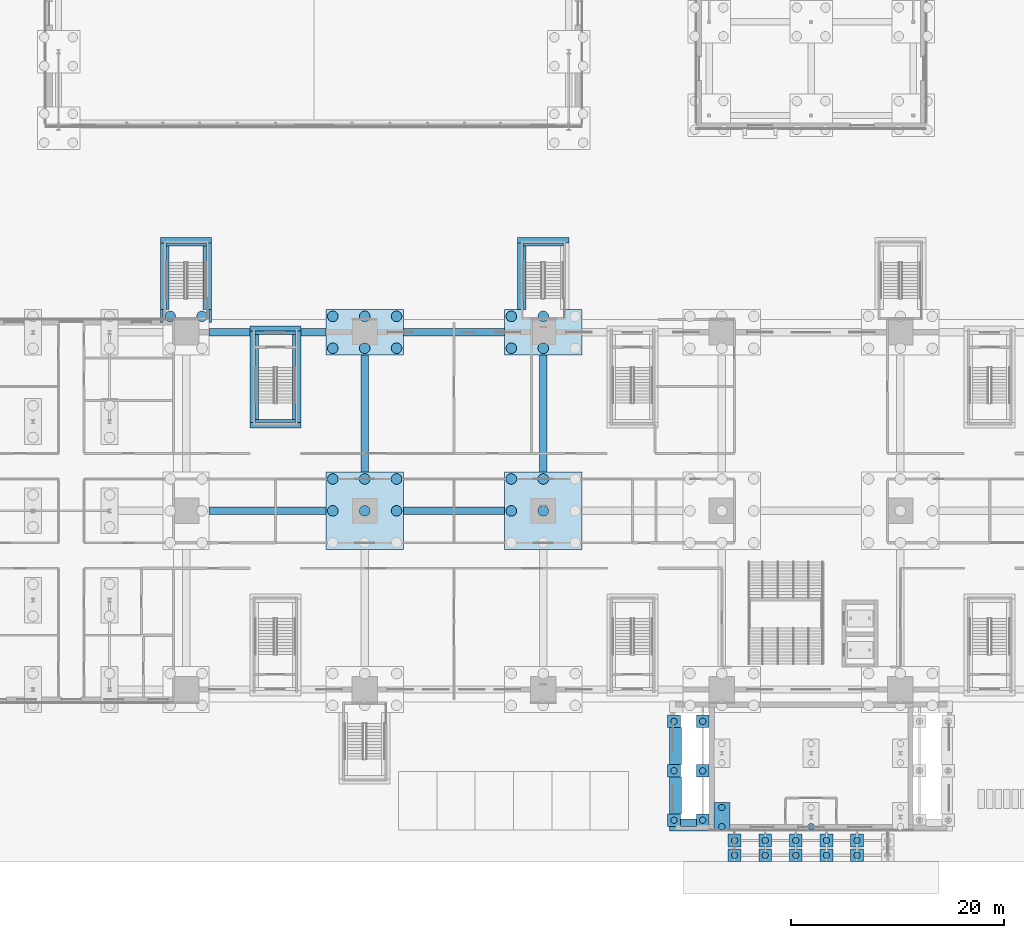
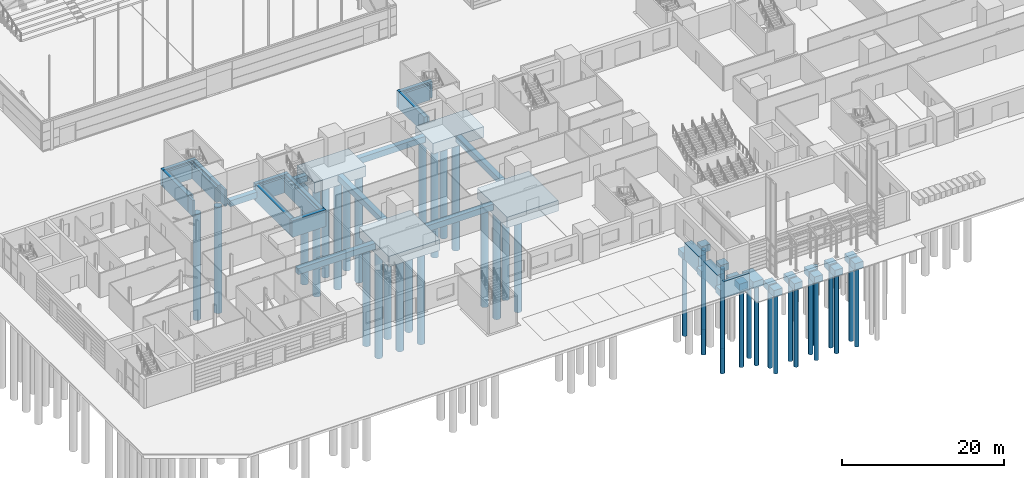
# One storey, part 2 of 139: 52 footings, 41 piles.
"""IFC4 building model written with IfcOpenShell, lengths in metres."""

from ifc_helpers import new_model, si_unit, direction, frame, origin, origin_2d, place, context, subcontext, project, spatial, polyline, rectangle, circle, outline, extrude, material, layer, layer_set, material_profile, profile_set, type_object, element, save


model = new_model("IFC4")

# Units and contexts
model_context = context("Model", 3, precision=1e-05, world=origin(), true_north=direction((0.0, 1.0)))
body_context = subcontext(model_context, "Body", "Model", "MODEL_VIEW")
ifc_project = project(units=[si_unit("LENGTHUNIT", "METRE"), si_unit("AREAUNIT", "SQUARE_METRE"), si_unit("VOLUMEUNIT", "CUBIC_METRE"), si_unit("PLANEANGLEUNIT", "RADIAN"), si_unit("MASSUNIT", "GRAM", prefix="KILO")], contexts=[model_context])

# Site, building, storey
site_placement = place(None, origin())
site = spatial("IfcSite", under=ifc_project, at=site_placement, CompositionType="ELEMENT")
building_placement = place(site_placement, origin())
building = spatial("IfcBuilding", under=site, at=building_placement, Name="Verrick Yard Athletic Hall", CompositionType="ELEMENT")
storey_placement = place(building_placement, origin())
storey = spatial("IfcBuildingStorey", under=building, at=storey_placement, Name="L00", CompositionType="ELEMENT", Elevation=0.0)

# Piles
ifc_material = material(Name="Concrete 35 MPa", Category="concrete")
pile_type_1 = type_object("IfcPileType", Name="STR Bored pile 1000", PredefinedType="BORED", material=ifc_material)
for number, where, z_axis, x_axis, name in (
    (1, (38.5, 54.300048828125, -2.39990234375), (0.0, 0.0, -1.0), (1.0, 0.0, 0.0), "STR-PC-P1C-PL3"),
    (2, (41.5, 54.300048828125, -2.39990234375), (0.0, 0.0, -1.0), (1.0, 0.0, 0.0), "STR-PC-P1C-PL4"),
    (3, (53.800048828125, 36.0, -2.39990234375), (0.0, 0.0, -1.0), (1.0, 0.0, 0.0), "STR-PC-P2B-PL4"),
    (4, (56.800048828125, 36.0, -2.39990234375), (0.0, 0.0, -1.0), (1.0, 0.0, 0.0), "STR-PC-P2B-PL5"),
    (5, (59.800048828125, 36.0, -2.39990234375), (0.0, 0.0, -1.0), (1.0, 0.0, 0.0), "STR-PC-P2B-PL6"),
    (6, (53.800048828125, 39.0, -2.39990234375), (0.0, 0.0, -1.0), (1.0, 0.0, 0.0), "STR-PC-P2B-PL7"),
    (7, (56.800048828125, 39.0, -2.39990234375), (0.0, 0.0, -1.0), (1.0, 0.0, 0.0), "STR-PC-P2B-PL8"),
    (8, (59.800048828125, 39.0, -2.39990234375), (0.0, 0.0, -1.0), (1.0, 0.0, 0.0), "STR-PC-P2B-PL9"),
    (9, (53.800048828125, 51.300048828125, -2.39990234375), (0.0, 0.0, -1.0), (1.0, 0.0, 0.0), "STR-PC-P2C-PL1"),
    (10, (56.800048828125, 51.300048828125, -2.39990234375), (0.0, 0.0, -1.0), (1.0, 0.0, 0.0), "STR-PC-P2C-PL2"),
    (11, (59.800048828125, 51.300048828125, -2.39990234375), (0.0, 0.0, -1.0), (1.0, 0.0, 0.0), "STR-PC-P2C-PL3"),
    (12, (53.800048828125, 54.300048828125, -2.39990234375), (0.0, 0.0, -1.0), (1.0, 0.0, 0.0), "STR-PC-P2C-PL4"),
    (13, (56.800048828125, 54.300048828125, -2.39990234375), (0.0, 0.0, -1.0), (1.0, 0.0, 0.0), "STR-PC-P2C-PL5"),
    (14, (59.800048828125, 54.300048828125, -2.39990234375), (0.0, 0.0, -1.0), (1.0, 0.0, 0.0), "STR-PC-P2C-PL6"),
    (15, (70.60009765625, 36.0, -2.39990234375), (0.0, 0.0, -1.0), (1.0, 0.0, 0.0), "STR-PC-P3B-PL4"),
    (16, (73.60009765625, 36.0, -2.39990234375), (0.0, 0.0, -1.0), (1.0, 0.0, 0.0), "STR-PC-P3B-PL5"),
    (17, (70.60009765625, 39.0, -2.39990234375), (0.0, 0.0, -1.0), (1.0, 0.0, 0.0), "STR-PC-P3B-PL7"),
    (18, (73.60009765625, 39.0, -2.39990234375), (0.0, 0.0, -1.0), (1.0, 0.0, 0.0), "STR-PC-P3B-PL8"),
    (19, (70.60009765625, 51.300048828125, -2.39990234375), (0.0, 0.0, -1.0), (1.0, 0.0, 0.0), "STR-PC-P3C-PL1"),
    (20, (73.60009765625, 51.300048828125, -2.39990234375), (0.0, 0.0, -1.0), (1.0, 0.0, 0.0), "STR-PC-P3C-PL2"),
    (21, (70.60009765625, 54.300048828125, -2.39990234375), (0.0, 0.0, -1.0), (1.0, 0.0, 0.0), "STR-PC-P3C-PL4"),
    (22, (73.60009765625, 54.300048828125, -2.39990234375), (0.0, 0.0, -1.0), (1.0, 0.0, 0.0), "STR-PC-P3C-PL5"),
):
    element("IfcPile", number, at=place(storey_placement, frame(where, z_axis=z_axis, x_axis=x_axis)), inside=storey, type_object=pile_type_1, Name=name, PredefinedType="BORED", context=body_context, shape_type="SweptSolid", body=[
        extrude(circle(Radius=0.5, at=origin_2d()), origin(), (0.0, 0.0, 1.0), 16.0),
    ])
pile_type_2 = type_object("IfcPileType", Name="STR Bored pile 600", PredefinedType="BORED", material=ifc_material)
for number, where, z_axis, x_axis, name in (
    (23, (90.39990234375, 6.300048828125, -2.39990234375), (0.0, 0.0, -1.0), (1.0, 0.0, 0.0), "STR-PC-FC11-PL1"),
    (24, (90.39990234375, 8.10009765625, -2.39990234375), (0.0, 0.0, -1.0), (1.0, 0.0, 0.0), "STR-PC-FC11-PL2"),
    (25, (98.800048828125, 6.300048828125, -2.39990234375), (0.0, 0.0, -1.0), (1.0, 0.0, 0.0), "STR-PC-FC21-PL1"),
    (26, (91.60009765625, 3.60009765625, -2.39990234375), (0.0, 0.0, -1.0), (1.0, 0.0, 0.0), "STR-PC-PC1-PL1"),
    (27, (94.47998046875, 3.60009765625, -2.39990234375), (0.0, 0.0, -1.0), (1.0, 0.0, 0.0), "STR-PC-PC2-PL1"),
    (28, (97.360107421875, 3.60009765625, -2.39990234375), (0.0, 0.0, -1.0), (1.0, 0.0, 0.0), "STR-PC-PC3-PL1"),
    (29, (100.239990234375, 3.60009765625, -2.39990234375), (0.0, 0.0, -1.0), (1.0, 0.0, 0.0), "STR-PC-PC4-PL1"),
    (30, (103.1201171875, 3.60009765625, -2.39990234375), (0.0, 0.0, -1.0), (1.0, 0.0, 0.0), "STR-PC-PC5-PL1"),
    (31, (88.60009765625, 6.89990234375, -2.39990234375), (0.0, 0.0, -1.0), (1.0, 0.0, 0.0), "STR-PC-LCWI1-PL1"),
    (32, (88.60009765625, 11.550048828125, -2.39990234375), (0.0, 0.0, -1.0), (1.0, 0.0, 0.0), "STR-PC-LCWI2-PL1"),
    (33, (88.60009765625, 16.199951171875, -2.39990234375), (0.0, 0.0, -1.0), (1.0, 0.0, 0.0), "STR-PC-LCWI3-PL1"),
    (34, (85.89990234375, 6.89990234375, -2.39990234375), (0.0, 0.0, -1.0), (1.0, 0.0, 0.0), "STR-PC-LCWO1-PL1"),
    (35, (85.89990234375, 11.550048828125, -2.39990234375), (0.0, 0.0, -1.0), (1.0, 0.0, 0.0), "STR-PC-LCWO2-PL1"),
    (36, (85.89990234375, 16.199951171875, -2.39990234375), (0.0, 0.0, -1.0), (1.0, 0.0, 0.0), "STR-PC-LCWO3-PL1"),
    (37, (91.60009765625, 5.0, -2.39990234375), (0.0, 0.0, -1.0), (1.0, 0.0, 0.0), "STR-PC-PR1-PL1"),
    (38, (94.47998046875, 5.0, -2.39990234375), (0.0, 0.0, -1.0), (1.0, 0.0, 0.0), "STR-PC-PR2-PL1"),
    (39, (97.360107421875, 5.0, -2.39990234375), (0.0, 0.0, -1.0), (1.0, 0.0, 0.0), "STR-PC-PR3-PL1"),
    (40, (100.239990234375, 5.0, -2.39990234375), (0.0, 0.0, -1.0), (1.0, 0.0, 0.0), "STR-PC-PR4-PL1"),
    (41, (103.1201171875, 5.0, -2.39990234375), (0.0, 0.0, -1.0), (1.0, 0.0, 0.0), "STR-PC-PR5-PL1"),
):
    element("IfcPile", number, at=place(storey_placement, frame(where, z_axis=z_axis, x_axis=x_axis)), inside=storey, type_object=pile_type_2, Name=name, PredefinedType="BORED", context=body_context, shape_type="SweptSolid", body=[
        extrude(circle(Radius=0.300048828125, at=origin_2d()), origin(), (0.0, 0.0, 1.0), 12.0),
    ])

# Footings
ifc_material_profile_1 = material_profile(ifc_material, rectangle(XDim=0.699951171875, YDim=0.89990234375, at=origin_2d()), Name="STR Grade beam F1")
ifc_profile_set_1 = profile_set([ifc_material_profile_1], Name="Concrete 35 MPa")
footing_type_1 = type_object("IfcFootingType", Name="STR Grade beam F1", PredefinedType="FOOTING_BEAM", material=ifc_profile_set_1)
footing_1_placement = place(storey_placement, frame((42.14990234375, 36.0, -1.35009765625), z_axis=(1.0, 0.0, 0.0), x_axis=(0.0, 1.0, 0.0)))
element("IfcFooting", 42, at=footing_1_placement, inside=storey, type_object=footing_type_1, Name="STR-GB-XP1B", PredefinedType="FOOTING_BEAM", context=body_context, shape_type="SweptSolid", body=[
    extrude(rectangle(XDim=0.699951171875, YDim=0.89990234375, at=origin_2d()), origin(), (0.0, 0.0, 1.0), 11.0),
])
footing_2_placement = place(storey_placement, frame((60.449951171875, 36.0, -1.35009765625), z_axis=(1.0, 0.0, 0.0), x_axis=(0.0, 1.0, 0.0)))
element("IfcFooting", 43, at=footing_2_placement, inside=storey, type_object=footing_type_1, Name="STR-GB-XP2B", PredefinedType="FOOTING_BEAM", context=body_context, shape_type="SweptSolid", body=[
    extrude(rectangle(XDim=0.699951171875, YDim=0.89990234375, at=origin_2d()), origin(), (0.0, 0.0, 1.0), 9.5),
])
footing_3_placement = place(storey_placement, frame((42.14990234375, 52.800048828125, -1.35009765625), z_axis=(1.0, 0.0, 0.0), x_axis=(0.0, 1.0, 0.0)))
element("IfcFooting", 44, at=footing_3_placement, inside=storey, type_object=footing_type_1, Name="STR-GB-XP1C", PredefinedType="FOOTING_BEAM", context=body_context, shape_type="SweptSolid", body=[
    extrude(rectangle(XDim=0.699951171875, YDim=0.89990234375, at=origin_2d()), origin(), (0.0, 0.0, 1.0), 3.85009765625),
])
footing_4_placement = place(storey_placement, frame((50.800048828125, 52.800048828125, -1.35009765625), z_axis=(1.0, 0.0, 0.0), x_axis=(0.0, 1.0, 0.0)))
element("IfcFooting", 45, at=footing_4_placement, inside=storey, type_object=footing_type_1, Name="STR-GB-XP1C-2", PredefinedType="FOOTING_BEAM", context=body_context, shape_type="SweptSolid", body=[
    extrude(rectangle(XDim=0.699951171875, YDim=0.89990234375, at=origin_2d()), origin(), (0.0, 0.0, 1.0), 2.349853515625),
])
footing_5_placement = place(storey_placement, frame((60.449951171875, 52.800048828125, -1.35009765625), z_axis=(1.0, 0.0, 0.0), x_axis=(0.0, 1.0, 0.0)))
element("IfcFooting", 46, at=footing_5_placement, inside=storey, type_object=footing_type_1, Name="STR-GB-XP2C", PredefinedType="FOOTING_BEAM", context=body_context, shape_type="SweptSolid", body=[
    extrude(rectangle(XDim=0.699951171875, YDim=0.89990234375, at=origin_2d()), origin(), (0.0, 0.0, 1.0), 9.5),
])
for number, where, z_axis, x_axis, name in (
    (47, (56.800048828125, 39.64990234375, -1.35009765625), (0.0, 1.0, 0.0), (-1.0, 0.0, 0.0), "STR-GB-YP2B"),
    (48, (73.60009765625, 39.64990234375, -1.35009765625), (0.0, 1.0, 0.0), (-1.0, 0.0, 0.0), "STR-GB-YP3B"),
):
    element("IfcFooting", number, at=place(storey_placement, frame(where, z_axis=z_axis, x_axis=x_axis)), inside=storey, type_object=footing_type_1, Name=name, PredefinedType="FOOTING_BEAM", context=body_context, shape_type="SweptSolid", body=[
        extrude(rectangle(XDim=0.699951171875, YDim=0.89990234375, at=origin_2d()), origin(), (0.0, 0.0, 1.0), 11.0),
    ])
ifc_layer_1 = layer(ifc_material, 1.60009765625)
ifc_layer_set_1 = layer_set([ifc_layer_1], Name="STR Pile cap edge PC2")
footing_type_2 = type_object("IfcFootingType", Name="STR Pile cap edge PC2", PredefinedType="PILE_CAP", material=ifc_layer_set_1)
footing_6_placement = place(storey_placement, frame((0.0, 0.0, -2.5)))
element("IfcFooting", 49, at=footing_6_placement, inside=storey, type_object=footing_type_2, Name="STR-PC-P2C", PredefinedType="PILE_CAP", context=body_context, shape_type="SweptSolid", body=[
    extrude(outline(polyline([(53.14990234375, 50.64990234375), (60.449951171875, 50.64990234375), (60.449951171875, 54.949951171875), (53.14990234375, 54.949951171875), (53.14990234375, 50.64990234375)])), origin(), (0.0, 0.0, 1.0), 1.60009765625),
])
footing_7_placement = place(storey_placement, frame((0.0, 0.0, -2.5)))
element("IfcFooting", 50, at=footing_7_placement, inside=storey, type_object=footing_type_2, Name="STR-PC-P3C", PredefinedType="PILE_CAP", context=body_context, shape_type="SweptSolid", body=[
    extrude(outline(polyline([(69.949951171875, 50.64990234375), (77.25, 50.64990234375), (77.25, 54.949951171875), (69.949951171875, 54.949951171875), (69.949951171875, 50.64990234375)])), origin(), (0.0, 0.0, 1.0), 1.60009765625),
])
ifc_layer_2 = layer(ifc_material, 1.0)
ifc_layer_set_2 = layer_set([ifc_layer_2], Name="STR Pile cap foyer PC6")
footing_type_3 = type_object("IfcFootingType", Name="STR Pile cap foyer PC6", PredefinedType="PILE_CAP", material=ifc_layer_set_2)
footing_8_placement = place(storey_placement, frame((0.0, 0.0, -2.5)))
element("IfcFooting", 51, at=footing_8_placement, inside=storey, type_object=footing_type_3, Name="STR-PC-FC11", PredefinedType="PILE_CAP", context=body_context, shape_type="SweptSolid", body=[
    extrude(outline(polyline([(89.64990234375, 5.85009765625), (91.14990234375, 5.85009765625), (91.14990234375, 8.550048828125), (89.64990234375, 8.550048828125), (89.64990234375, 5.85009765625)])), origin(), (0.0, 0.0, 1.0), 1.0),
])
ifc_layer_3 = layer(ifc_material, 1.60009765625)
ifc_layer_set_3 = layer_set([ifc_layer_3], Name="STR Pile cap interior PC1")
footing_type_4 = type_object("IfcFootingType", Name="STR Pile cap interior PC1", PredefinedType="PILE_CAP", material=ifc_layer_set_3)
footing_9_placement = place(storey_placement, frame((0.0, 0.0, -2.5)))
element("IfcFooting", 52, at=footing_9_placement, inside=storey, type_object=footing_type_4, Name="STR-PC-P2B", PredefinedType="PILE_CAP", context=body_context, shape_type="SweptSolid", body=[
    extrude(outline(polyline([(53.14990234375, 32.35009765625), (60.449951171875, 32.35009765625), (60.449951171875, 39.64990234375), (53.14990234375, 39.64990234375), (53.14990234375, 32.35009765625)])), origin(), (0.0, 0.0, 1.0), 1.60009765625),
])
footing_10_placement = place(storey_placement, frame((0.0, 0.0, -2.5)))
element("IfcFooting", 53, at=footing_10_placement, inside=storey, type_object=footing_type_4, Name="STR-PC-P3B", PredefinedType="PILE_CAP", context=body_context, shape_type="SweptSolid", body=[
    extrude(outline(polyline([(69.949951171875, 32.35009765625), (77.25, 32.35009765625), (77.25, 39.64990234375), (69.949951171875, 39.64990234375), (69.949951171875, 32.35009765625)])), origin(), (0.0, 0.0, 1.0), 1.60009765625),
])
ifc_layer_4 = layer(ifc_material, 1.0)
ifc_layer_set_4 = layer_set([ifc_layer_4], Name="STR Pile cap porch PC7")
footing_type_5 = type_object("IfcFootingType", Name="STR Pile cap porch PC7", PredefinedType="PILE_CAP", material=ifc_layer_set_4)
footing_11_placement = place(storey_placement, frame((0.0, 0.0, -2.5)))
element("IfcFooting", 54, at=footing_11_placement, inside=storey, type_object=footing_type_5, Name="STR-PC-PC1", PredefinedType="PILE_CAP", context=body_context, shape_type="SweptSolid", body=[
    extrude(outline(polyline([(91.0, 3.0), (92.199951171875, 3.0), (92.199951171875, 4.199951171875), (91.0, 4.199951171875), (91.0, 3.0)])), origin(), (0.0, 0.0, 1.0), 1.0),
])
footing_12_placement = place(storey_placement, frame((0.0, 0.0, -2.5)))
element("IfcFooting", 55, at=footing_12_placement, inside=storey, type_object=footing_type_5, Name="STR-PC-PC2", PredefinedType="PILE_CAP", context=body_context, shape_type="SweptSolid", body=[
    extrude(outline(polyline([(93.8798828125, 3.0), (95.080078125, 3.0), (95.080078125, 4.199951171875), (93.8798828125, 4.199951171875), (93.8798828125, 3.0)])), origin(), (0.0, 0.0, 1.0), 1.0),
])
footing_13_placement = place(storey_placement, frame((0.0, 0.0, -2.5)))
element("IfcFooting", 56, at=footing_13_placement, inside=storey, type_object=footing_type_5, Name="STR-PC-PC3", PredefinedType="PILE_CAP", context=body_context, shape_type="SweptSolid", body=[
    extrude(outline(polyline([(96.760009765625, 3.0), (97.9599609375, 3.0), (97.9599609375, 4.199951171875), (96.760009765625, 4.199951171875), (96.760009765625, 3.0)])), origin(), (0.0, 0.0, 1.0), 1.0),
])
footing_14_placement = place(storey_placement, frame((0.0, 0.0, -2.5)))
element("IfcFooting", 57, at=footing_14_placement, inside=storey, type_object=footing_type_5, Name="STR-PC-PC4", PredefinedType="PILE_CAP", context=body_context, shape_type="SweptSolid", body=[
    extrude(outline(polyline([(99.639892578125, 3.0), (100.840087890625, 3.0), (100.840087890625, 4.199951171875), (99.639892578125, 4.199951171875), (99.639892578125, 3.0)])), origin(), (0.0, 0.0, 1.0), 1.0),
])
footing_15_placement = place(storey_placement, frame((0.0, 0.0, -2.5)))
element("IfcFooting", 58, at=footing_15_placement, inside=storey, type_object=footing_type_5, Name="STR-PC-PC5", PredefinedType="PILE_CAP", context=body_context, shape_type="SweptSolid", body=[
    extrude(outline(polyline([(102.52001953125, 3.0), (103.719970703125, 3.0), (103.719970703125, 4.199951171875), (102.52001953125, 4.199951171875), (102.52001953125, 3.0)])), origin(), (0.0, 0.0, 1.0), 1.0),
])
footing_16_placement = place(storey_placement, frame((0.0, 0.0, -2.5)))
element("IfcFooting", 59, at=footing_16_placement, inside=storey, type_object=footing_type_5, Name="STR-PC-LCWI1", PredefinedType="PILE_CAP", context=body_context, shape_type="SweptSolid", body=[
    extrude(outline(polyline([(88.0, 6.300048828125), (89.199951171875, 6.300048828125), (89.199951171875, 7.5), (88.0, 7.5), (88.0, 6.300048828125)])), origin(), (0.0, 0.0, 1.0), 1.0),
])
footing_17_placement = place(storey_placement, frame((0.0, 0.0, -2.5)))
element("IfcFooting", 60, at=footing_17_placement, inside=storey, type_object=footing_type_5, Name="STR-PC-LCWI2", PredefinedType="PILE_CAP", context=body_context, shape_type="SweptSolid", body=[
    extrude(outline(polyline([(88.0, 10.949951171875), (89.199951171875, 10.949951171875), (89.199951171875, 12.14990234375), (88.0, 12.14990234375), (88.0, 10.949951171875)])), origin(), (0.0, 0.0, 1.0), 1.0),
])
footing_18_placement = place(storey_placement, frame((0.0, 0.0, -2.5)))
element("IfcFooting", 61, at=footing_18_placement, inside=storey, type_object=footing_type_5, Name="STR-PC-LCWI3", PredefinedType="PILE_CAP", context=body_context, shape_type="SweptSolid", body=[
    extrude(outline(polyline([(88.0, 15.60009765625), (89.199951171875, 15.60009765625), (89.199951171875, 16.800048828125), (88.0, 16.800048828125), (88.0, 15.60009765625)])), origin(), (0.0, 0.0, 1.0), 1.0),
])
footing_19_placement = place(storey_placement, frame((0.0, 0.0, -2.5)))
element("IfcFooting", 62, at=footing_19_placement, inside=storey, type_object=footing_type_5, Name="STR-PC-LCWO1", PredefinedType="PILE_CAP", context=body_context, shape_type="SweptSolid", body=[
    extrude(outline(polyline([(85.300048828125, 6.300048828125), (86.5, 6.300048828125), (86.5, 7.5), (85.300048828125, 7.5), (85.300048828125, 6.300048828125)])), origin(), (0.0, 0.0, 1.0), 1.0),
])
footing_20_placement = place(storey_placement, frame((0.0, 0.0, -2.5)))
element("IfcFooting", 63, at=footing_20_placement, inside=storey, type_object=footing_type_5, Name="STR-PC-LCWO2", PredefinedType="PILE_CAP", context=body_context, shape_type="SweptSolid", body=[
    extrude(outline(polyline([(85.300048828125, 10.949951171875), (86.5, 10.949951171875), (86.5, 12.14990234375), (85.300048828125, 12.14990234375), (85.300048828125, 10.949951171875)])), origin(), (0.0, 0.0, 1.0), 1.0),
])
footing_21_placement = place(storey_placement, frame((0.0, 0.0, -2.5)))
element("IfcFooting", 64, at=footing_21_placement, inside=storey, type_object=footing_type_5, Name="STR-PC-LCWO3", PredefinedType="PILE_CAP", context=body_context, shape_type="SweptSolid", body=[
    extrude(outline(polyline([(85.300048828125, 15.60009765625), (86.5, 15.60009765625), (86.5, 16.800048828125), (85.300048828125, 16.800048828125), (85.300048828125, 15.60009765625)])), origin(), (0.0, 0.0, 1.0), 1.0),
])
footing_22_placement = place(storey_placement, frame((0.0, 0.0, -2.5)))
element("IfcFooting", 65, at=footing_22_placement, inside=storey, type_object=footing_type_5, Name="STR-PC-PR1", PredefinedType="PILE_CAP", context=body_context, shape_type="SweptSolid", body=[
    extrude(outline(polyline([(91.0, 4.39990234375), (92.199951171875, 4.39990234375), (92.199951171875, 5.60009765625), (91.0, 5.60009765625), (91.0, 4.39990234375)])), origin(), (0.0, 0.0, 1.0), 1.0),
])
footing_23_placement = place(storey_placement, frame((0.0, 0.0, -2.5)))
element("IfcFooting", 66, at=footing_23_placement, inside=storey, type_object=footing_type_5, Name="STR-PC-PR2", PredefinedType="PILE_CAP", context=body_context, shape_type="SweptSolid", body=[
    extrude(outline(polyline([(93.8798828125, 4.39990234375), (95.080078125, 4.39990234375), (95.080078125, 5.60009765625), (93.8798828125, 5.60009765625), (93.8798828125, 4.39990234375)])), origin(), (0.0, 0.0, 1.0), 1.0),
])
footing_24_placement = place(storey_placement, frame((0.0, 0.0, -2.5)))
element("IfcFooting", 67, at=footing_24_placement, inside=storey, type_object=footing_type_5, Name="STR-PC-PR3", PredefinedType="PILE_CAP", context=body_context, shape_type="SweptSolid", body=[
    extrude(outline(polyline([(96.760009765625, 4.39990234375), (97.9599609375, 4.39990234375), (97.9599609375, 5.60009765625), (96.760009765625, 5.60009765625), (96.760009765625, 4.39990234375)])), origin(), (0.0, 0.0, 1.0), 1.0),
])
footing_25_placement = place(storey_placement, frame((0.0, 0.0, -2.5)))
element("IfcFooting", 68, at=footing_25_placement, inside=storey, type_object=footing_type_5, Name="STR-PC-PR4", PredefinedType="PILE_CAP", context=body_context, shape_type="SweptSolid", body=[
    extrude(outline(polyline([(99.639892578125, 4.39990234375), (100.840087890625, 4.39990234375), (100.840087890625, 5.60009765625), (99.639892578125, 5.60009765625), (99.639892578125, 4.39990234375)])), origin(), (0.0, 0.0, 1.0), 1.0),
])
footing_26_placement = place(storey_placement, frame((0.0, 0.0, -2.5)))
element("IfcFooting", 69, at=footing_26_placement, inside=storey, type_object=footing_type_5, Name="STR-PC-PR5", PredefinedType="PILE_CAP", context=body_context, shape_type="SweptSolid", body=[
    extrude(outline(polyline([(102.52001953125, 4.39990234375), (103.719970703125, 4.39990234375), (103.719970703125, 5.60009765625), (102.52001953125, 5.60009765625), (102.52001953125, 4.39990234375)])), origin(), (0.0, 0.0, 1.0), 1.0),
])
ifc_material_profile_2 = material_profile(ifc_material, rectangle(XDim=0.5, YDim=2.5, at=origin_2d()), Name="STR Wall strip footing F2")
ifc_profile_set_2 = profile_set([ifc_material_profile_2], Name="Concrete 35 MPa")
footing_type_6 = type_object("IfcFootingType", Name="STR Wall strip footing F2", PredefinedType="STRIP_FOOTING", material=ifc_profile_set_2)
footing_27_placement = place(storey_placement, frame((0.0, 0.0, -2.5)))
element("IfcFooting", 70, at=footing_27_placement, inside=storey, type_object=footing_type_6, Name="STR-WF-DT-N1-3", PredefinedType="STRIP_FOOTING", context=body_context, shape_type="SweptSolid", body=[
    extrude(outline(polyline([(37.60009765625, 54.949951171875), (38.10009765625, 54.949951171875), (38.10009765625, 61.199951171875), (37.60009765625, 61.199951171875), (37.60009765625, 54.949951171875)])), origin(), (0.0, 0.0, 1.0), 2.5),
])
footing_28_placement = place(storey_placement, frame((0.0, 0.0, -2.5)))
element("IfcFooting", 71, at=footing_28_placement, inside=storey, type_object=footing_type_6, Name="STR-WF-DT-N1-4", PredefinedType="STRIP_FOOTING", context=body_context, shape_type="SweptSolid", body=[
    extrude(outline(polyline([(41.89990234375, 54.949951171875), (42.39990234375, 54.949951171875), (42.39990234375, 61.199951171875), (41.89990234375, 61.199951171875), (41.89990234375, 54.949951171875)])), origin(), (0.0, 0.0, 1.0), 2.5),
])
footing_29_placement = place(storey_placement, frame((0.0, 0.0, -2.5)))
element("IfcFooting", 72, at=footing_29_placement, inside=storey, type_object=footing_type_6, Name="STR-WF-DT-N1-5", PredefinedType="STRIP_FOOTING", context=body_context, shape_type="SweptSolid", body=[
    extrude(outline(polyline([(37.60009765625, 61.199951171875), (42.39990234375, 61.199951171875), (42.39990234375, 61.699951171875), (37.60009765625, 61.699951171875), (37.60009765625, 61.199951171875)])), origin(), (0.0, 0.0, 1.0), 2.5),
])
footing_30_placement = place(storey_placement, frame((0.0, 0.0, -2.5)))
element("IfcFooting", 73, at=footing_30_placement, inside=storey, type_object=footing_type_6, Name="STR-WF-DT-N3-1", PredefinedType="STRIP_FOOTING", context=body_context, shape_type="SweptSolid", body=[
    extrude(outline(polyline([(71.199951171875, 54.949951171875), (71.699951171875, 54.949951171875), (71.699951171875, 61.199951171875), (71.199951171875, 61.199951171875), (71.199951171875, 54.949951171875)])), origin(), (0.0, 0.0, 1.0), 2.5),
])
footing_31_placement = place(storey_placement, frame((0.0, 0.0, -2.5)))
element("IfcFooting", 74, at=footing_31_placement, inside=storey, type_object=footing_type_6, Name="STR-WF-DT-N3-3", PredefinedType="STRIP_FOOTING", context=body_context, shape_type="SweptSolid", body=[
    extrude(outline(polyline([(71.199951171875, 61.199951171875), (76.0, 61.199951171875), (76.0, 61.699951171875), (71.199951171875, 61.699951171875), (71.199951171875, 61.199951171875)])), origin(), (0.0, 0.0, 1.0), 2.5),
])
footing_32_placement = place(storey_placement, frame((0.0, 0.0, -2.5)))
element("IfcFooting", 75, at=footing_32_placement, inside=storey, type_object=footing_type_6, Name="STR-WF-PS-N1-1", PredefinedType="STRIP_FOOTING", context=body_context, shape_type="SweptSolid", body=[
    extrude(outline(polyline([(46.0, 43.800048828125), (50.800048828125, 43.800048828125), (50.800048828125, 44.300048828125), (46.0, 44.300048828125), (46.0, 43.800048828125)])), origin(), (0.0, 0.0, 1.0), 2.5),
])
footing_33_placement = place(storey_placement, frame((0.0, 0.0, -2.5)))
element("IfcFooting", 76, at=footing_33_placement, inside=storey, type_object=footing_type_6, Name="STR-WF-PS-N1-2", PredefinedType="STRIP_FOOTING", context=body_context, shape_type="SweptSolid", body=[
    extrude(outline(polyline([(46.0, 44.300048828125), (46.5, 44.300048828125), (46.5, 52.89990234375), (46.0, 52.89990234375), (46.0, 44.300048828125)])), origin(), (0.0, 0.0, 1.0), 2.5),
])
footing_34_placement = place(storey_placement, frame((0.0, 0.0, -2.5)))
element("IfcFooting", 77, at=footing_34_placement, inside=storey, type_object=footing_type_6, Name="STR-WF-PS-N1-3", PredefinedType="STRIP_FOOTING", context=body_context, shape_type="SweptSolid", body=[
    extrude(outline(polyline([(50.300048828125, 44.300048828125), (50.800048828125, 44.300048828125), (50.800048828125, 52.89990234375), (50.300048828125, 52.89990234375), (50.300048828125, 44.300048828125)])), origin(), (0.0, 0.0, 1.0), 2.5),
])
footing_35_placement = place(storey_placement, frame((0.0, 0.0, -2.5)))
element("IfcFooting", 78, at=footing_35_placement, inside=storey, type_object=footing_type_6, Name="STR-WF-PS-N1-4", PredefinedType="STRIP_FOOTING", context=body_context, shape_type="SweptSolid", body=[
    extrude(outline(polyline([(46.0, 52.89990234375), (50.800048828125, 52.89990234375), (50.800048828125, 53.39990234375), (46.0, 53.39990234375), (46.0, 52.89990234375)])), origin(), (0.0, 0.0, 1.0), 2.5),
])
ifc_material_profile_3 = material_profile(ifc_material, rectangle(XDim=0.300048828125, YDim=2.300048828125, at=origin_2d()), Name="STR Wall strip footing F3")
ifc_profile_set_3 = profile_set([ifc_material_profile_3], Name="Concrete 35 MPa")
footing_type_7 = type_object("IfcFootingType", Name="STR Wall strip footing F3", PredefinedType="STRIP_FOOTING", material=ifc_profile_set_3)
footing_36_placement = place(storey_placement, frame((0.0, 0.0, -2.5)))
element("IfcFooting", 79, at=footing_36_placement, inside=storey, type_object=footing_type_7, Name="STR-WF-DT-N1-IN-1", PredefinedType="STRIP_FOOTING", context=body_context, shape_type="SweptSolid", body=[
    extrude(outline(polyline([(38.10009765625, 54.949951171875), (38.39990234375, 54.949951171875), (38.39990234375, 60.89990234375), (38.10009765625, 60.89990234375), (38.10009765625, 54.949951171875)])), origin(), (0.0, 0.0, 1.0), 2.300048828125),
])
footing_37_placement = place(storey_placement, frame((0.0, 0.0, -2.5)))
element("IfcFooting", 80, at=footing_37_placement, inside=storey, type_object=footing_type_7, Name="STR-WF-DT-N1-IN-2", PredefinedType="STRIP_FOOTING", context=body_context, shape_type="SweptSolid", body=[
    extrude(outline(polyline([(41.60009765625, 54.949951171875), (41.89990234375, 54.949951171875), (41.89990234375, 60.89990234375), (41.60009765625, 60.89990234375), (41.60009765625, 54.949951171875)])), origin(), (0.0, 0.0, 1.0), 2.300048828125),
])
footing_38_placement = place(storey_placement, frame((0.0, 0.0, -2.5)))
element("IfcFooting", 81, at=footing_38_placement, inside=storey, type_object=footing_type_7, Name="STR-WF-DT-N1-IN-3", PredefinedType="STRIP_FOOTING", context=body_context, shape_type="SweptSolid", body=[
    extrude(outline(polyline([(38.10009765625, 60.89990234375), (41.89990234375, 60.89990234375), (41.89990234375, 61.199951171875), (38.10009765625, 61.199951171875), (38.10009765625, 60.89990234375)])), origin(), (0.0, 0.0, 1.0), 2.300048828125),
])
footing_39_placement = place(storey_placement, frame((0.0, 0.0, -2.5)))
element("IfcFooting", 82, at=footing_39_placement, inside=storey, type_object=footing_type_7, Name="STR-WF-DT-N3-IN-1", PredefinedType="STRIP_FOOTING", context=body_context, shape_type="SweptSolid", body=[
    extrude(outline(polyline([(71.699951171875, 54.949951171875), (72.0, 54.949951171875), (72.0, 60.89990234375), (71.699951171875, 60.89990234375), (71.699951171875, 54.949951171875)])), origin(), (0.0, 0.0, 1.0), 2.300048828125),
])
footing_40_placement = place(storey_placement, frame((0.0, 0.0, -2.5)))
element("IfcFooting", 83, at=footing_40_placement, inside=storey, type_object=footing_type_7, Name="STR-WF-DT-N3-IN-3", PredefinedType="STRIP_FOOTING", context=body_context, shape_type="SweptSolid", body=[
    extrude(outline(polyline([(71.699951171875, 60.89990234375), (75.5, 60.89990234375), (75.5, 61.199951171875), (71.699951171875, 61.199951171875), (71.699951171875, 60.89990234375)])), origin(), (0.0, 0.0, 1.0), 2.300048828125),
])
footing_41_placement = place(storey_placement, frame((0.0, 0.0, -2.5)))
element("IfcFooting", 84, at=footing_41_placement, inside=storey, type_object=footing_type_7, Name="STR-WF-PS-N1-IN-1", PredefinedType="STRIP_FOOTING", context=body_context, shape_type="SweptSolid", body=[
    extrude(outline(polyline([(46.5, 44.300048828125), (50.300048828125, 44.300048828125), (50.300048828125, 44.60009765625), (46.5, 44.60009765625), (46.5, 44.300048828125)])), origin(), (0.0, 0.0, 1.0), 2.300048828125),
])
footing_42_placement = place(storey_placement, frame((0.0, 0.0, -2.5)))
element("IfcFooting", 85, at=footing_42_placement, inside=storey, type_object=footing_type_7, Name="STR-WF-PS-N1-IN-2", PredefinedType="STRIP_FOOTING", context=body_context, shape_type="SweptSolid", body=[
    extrude(outline(polyline([(46.5, 44.60009765625), (46.800048828125, 44.60009765625), (46.800048828125, 52.60009765625), (46.5, 52.60009765625), (46.5, 44.60009765625)])), origin(), (0.0, 0.0, 1.0), 2.300048828125),
])
footing_43_placement = place(storey_placement, frame((0.0, 0.0, -2.5)))
element("IfcFooting", 86, at=footing_43_placement, inside=storey, type_object=footing_type_7, Name="STR-WF-PS-N1-IN-3", PredefinedType="STRIP_FOOTING", context=body_context, shape_type="SweptSolid", body=[
    extrude(outline(polyline([(50.0, 44.60009765625), (50.300048828125, 44.60009765625), (50.300048828125, 52.60009765625), (50.0, 52.60009765625), (50.0, 44.60009765625)])), origin(), (0.0, 0.0, 1.0), 2.300048828125),
])
footing_44_placement = place(storey_placement, frame((0.0, 0.0, -2.5)))
element("IfcFooting", 87, at=footing_44_placement, inside=storey, type_object=footing_type_7, Name="STR-WF-PS-N1-IN-4", PredefinedType="STRIP_FOOTING", context=body_context, shape_type="SweptSolid", body=[
    extrude(outline(polyline([(46.5, 52.60009765625), (50.300048828125, 52.60009765625), (50.300048828125, 52.89990234375), (46.5, 52.89990234375), (46.5, 52.60009765625)])), origin(), (0.0, 0.0, 1.0), 2.300048828125),
])
ifc_material_profile_4 = material_profile(ifc_material, rectangle(XDim=0.25, YDim=2.5, at=origin_2d()), Name="STR Wall strip footing F4")
ifc_profile_set_4 = profile_set([ifc_material_profile_4], Name="Concrete 35 MPa")
footing_type_8 = type_object("IfcFootingType", Name="STR Wall strip footing F4", PredefinedType="STRIP_FOOTING", material=ifc_profile_set_4)
footing_45_placement = place(storey_placement, frame((0.0, 0.0, -2.5)))
element("IfcFooting", 88, at=footing_45_placement, inside=storey, type_object=footing_type_8, Name="STR-WF-DT-N1-1", PredefinedType="STRIP_FOOTING", context=body_context, shape_type="SweptSolid", body=[
    extrude(outline(polyline([(37.60009765625, 53.699951171875), (37.85009765625, 53.699951171875), (37.85009765625, 54.949951171875), (37.60009765625, 54.949951171875), (37.60009765625, 53.699951171875)])), origin(), (0.0, 0.0, 1.0), 2.5),
])
footing_46_placement = place(storey_placement, frame((0.0, 0.0, -2.5)))
element("IfcFooting", 89, at=footing_46_placement, inside=storey, type_object=footing_type_8, Name="STR-WF-DT-N1-2", PredefinedType="STRIP_FOOTING", context=body_context, shape_type="SweptSolid", body=[
    extrude(outline(polyline([(42.14990234375, 53.699951171875), (42.39990234375, 53.699951171875), (42.39990234375, 54.949951171875), (42.14990234375, 54.949951171875), (42.14990234375, 53.699951171875)])), origin(), (0.0, 0.0, 1.0), 2.5),
])
ifc_material_profile_5 = material_profile(ifc_material, rectangle(XDim=0.39990234375, YDim=2.5, at=origin_2d()), Name="STR Wall strip footing F5")
ifc_profile_set_5 = profile_set([ifc_material_profile_5], Name="Concrete 35 MPa")
footing_type_9 = type_object("IfcFootingType", Name="STR Wall strip footing F5", PredefinedType="STRIP_FOOTING", material=ifc_profile_set_5)
footing_47_placement = place(storey_placement, frame((0.0, 0.0, -2.5)))
element("IfcFooting", 90, at=footing_47_placement, inside=storey, type_object=footing_type_9, Name="STR-WF-LTW-1", PredefinedType="STRIP_FOOTING", context=body_context, shape_type="SweptSolid", body=[
    extrude(outline(polyline([(85.5, 5.89990234375), (89.199951171875, 5.89990234375), (89.199951171875, 6.300048828125), (85.5, 6.300048828125), (85.5, 5.89990234375)])), origin(), (0.0, 0.0, 1.0), 2.5),
])
ifc_material_profile_6 = material_profile(ifc_material, rectangle(XDim=0.699951171875, YDim=2.5, at=origin_2d()), Name="STR Wall strip footing F6")
ifc_profile_set_6 = profile_set([ifc_material_profile_6], Name="Concrete 35 MPa")
footing_type_10 = type_object("IfcFootingType", Name="STR Wall strip footing F6", PredefinedType="STRIP_FOOTING", material=ifc_profile_set_6)
footing_48_placement = place(storey_placement, frame((0.0, 0.0, -2.5)))
element("IfcFooting", 91, at=footing_48_placement, inside=storey, type_object=footing_type_10, Name="STR-WF-LTW-2", PredefinedType="STRIP_FOOTING", context=body_context, shape_type="SweptSolid", body=[
    extrude(outline(polyline([(86.5, 6.300048828125), (88.0, 6.300048828125), (88.0, 7.0), (86.5, 7.0), (86.5, 6.300048828125)])), origin(), (0.0, 0.0, 1.0), 2.5),
])
ifc_material_profile_7 = material_profile(ifc_material, rectangle(XDim=1.10009765625, YDim=2.5, at=origin_2d()), Name="STR Wall strip footing F8")
ifc_profile_set_7 = profile_set([ifc_material_profile_7], Name="Concrete 35 MPa")
footing_type_11 = type_object("IfcFootingType", Name="STR Wall strip footing F8", PredefinedType="STRIP_FOOTING", material=ifc_profile_set_7)
footing_49_placement = place(storey_placement, frame((0.0, 0.0, -2.5)))
element("IfcFooting", 92, at=footing_49_placement, inside=storey, type_object=footing_type_11, Name="STR-WF-LTW-4", PredefinedType="STRIP_FOOTING", context=body_context, shape_type="SweptSolid", body=[
    extrude(outline(polyline([(85.5, 7.5), (86.60009765625, 7.5), (86.60009765625, 10.949951171875), (85.5, 10.949951171875), (85.5, 7.5)])), origin(), (0.0, 0.0, 1.0), 2.5),
])
footing_50_placement = place(storey_placement, frame((0.0, 0.0, -2.5)))
element("IfcFooting", 93, at=footing_50_placement, inside=storey, type_object=footing_type_11, Name="STR-WF-LTW-6", PredefinedType="STRIP_FOOTING", context=body_context, shape_type="SweptSolid", body=[
    extrude(outline(polyline([(85.5, 12.14990234375), (86.60009765625, 12.14990234375), (86.60009765625, 15.60009765625), (85.5, 15.60009765625), (85.5, 12.14990234375)])), origin(), (0.0, 0.0, 1.0), 2.5),
])

save(model, "model.ifc")
